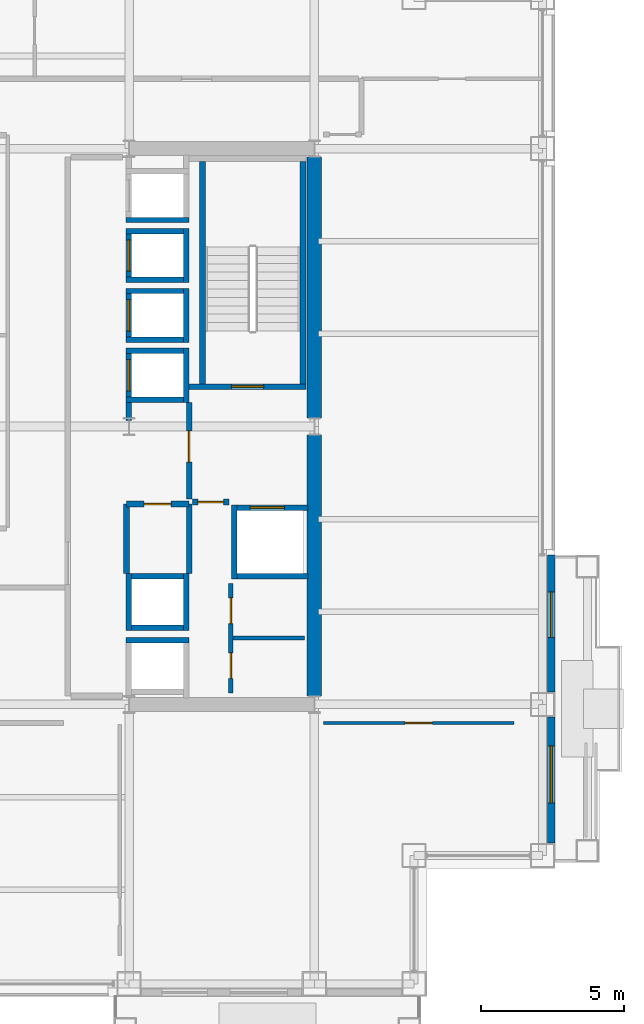
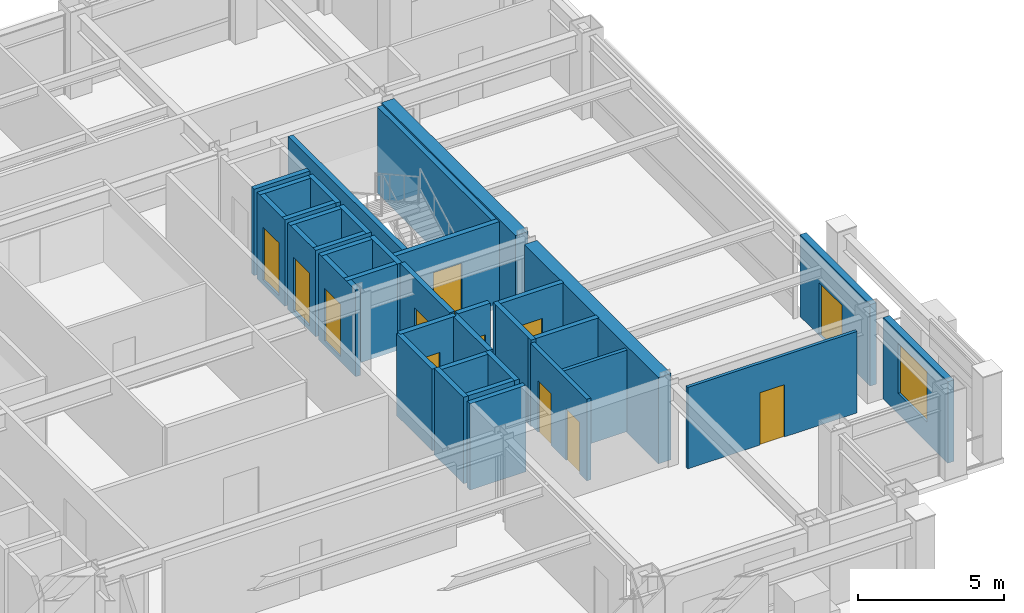
# One storey, part 25 of 29: 36 walls, 12 doors, 1 window, 13 openings.
"""IFC4 building model written with IfcOpenShell, lengths in metres."""

from ifc_helpers import new_model, si_unit, direction, frame, frame_2d, origin, place, context, subcontext, project, spatial, rectangle, extrude, material, layer, layer_set, type_object, element, fill, save


model = new_model("IFC4")

# Units and contexts
model_context = context("Model", 3, precision=1e-05, world=origin(), true_north=direction((0.0, 1.0)))
body_context = subcontext(model_context, "Body", "Model", "MODEL_VIEW")
ifc_project = project(units=[si_unit("LENGTHUNIT", "METRE"), si_unit("AREAUNIT", "SQUARE_METRE"), si_unit("VOLUMEUNIT", "CUBIC_METRE"), si_unit("PLANEANGLEUNIT", "RADIAN"), si_unit("MASSUNIT", "GRAM", prefix="KILO")], contexts=[model_context])

# Site, building, storey
site_placement = place(None, origin())
site = spatial("IfcSite", under=ifc_project, at=site_placement, CompositionType="ELEMENT")
building_placement = place(site_placement, origin())
building = spatial("IfcBuilding", under=site, at=building_placement, Name="Brelmoor Portico Tower", CompositionType="ELEMENT")
storey_placement = place(building_placement, frame((0.0, 0.0, 95.39990234375)))
storey = spatial("IfcBuildingStorey", under=building, at=storey_placement, Name="L24", CompositionType="ELEMENT", Elevation=95.39990234375)

# Walls
ifc_material_1 = material(Name="Concrete C60", Category="concrete")
ifc_layer_1 = layer(ifc_material_1, 0.5)
ifc_layer_set_1 = layer_set([ifc_layer_1], Name="Concrete C60")
wall_type_1 = type_object("IfcWallType", Name="WL-CORE-500", PredefinedType="SHEAR", material=ifc_layer_set_1)
for number, where, z_axis, x_axis, name in (
    (1, (14.550048828125, -9.449951171875, -0.199951171875), (0.0, 0.0, 1.0), (0.0, 1.0, 0.0), "L24 EC Outer South Shear Wall"),
    (2, (14.550048828125, 0.300048828125, -0.199951171875), (0.0, 0.0, 1.0), (0.0, 1.0, 0.0), "L24 EC Outer North Shear Wall"),
):
    element("IfcWall", number, at=place(storey_placement, frame(where, z_axis=z_axis, x_axis=x_axis)), inside=storey, type_object=wall_type_1, Name=name, PredefinedType="SHEAR", context=body_context, shape_type="SweptSolid", body=[
        extrude(rectangle(XDim=9.14990234375, YDim=0.5, at=frame_2d((4.574951171875, 0.0))), origin(), (0.0, 0.0, 1.0), 3.60009765625),
    ])

# Wall, opening, window
ifc_material_2 = material(Name="Precast Concrete C40 Insulated Facade Wall", Category="concrete")
ifc_layer_2 = layer(ifc_material_2, 0.25)
ifc_layer_set_2 = layer_set([ifc_layer_2], Name="Precast Concrete C40 Insulated Facade Wall")
wall_type_2 = type_object("IfcWallType", Name="WL-EXT-250", PredefinedType="STANDARD", material=ifc_layer_set_2)
wall_1_placement = place(storey_placement, frame((22.860107421875, -14.60498046875, 0.0), z_axis=(0.0, 0.0, 1.0), x_axis=(0.0, 1.0, 0.0)))
wall_1 = element("IfcWall", 3, at=wall_1_placement, inside=storey, type_object=wall_type_2, Name="L24 Loggia Threshold Wall E-1", PredefinedType="STANDARD", context=body_context, shape_type="SweptSolid", body=[
    extrude(rectangle(XDim=4.409912109375, YDim=0.25, at=frame_2d((2.205078125, 0.0))), origin(), (0.0, 0.0, 1.0), 3.400146484375),
])
opening_1_placement = place(wall_1_placement, frame((1.405029296875, 0.0, 0.85009765625)))
opening_1 = element("IfcOpeningElement", 4, at=opening_1_placement, cuts=wall_1, Name="Opening W-03", PredefinedType="OPENING", context=body_context, shape_type="SweptSolid", body=[
    extrude(rectangle(XDim=2.0, YDim=2.10009765625, at=frame_2d((1.0, 1.050048828125))), frame((0.0, 0.135009765625, 0.0), z_axis=(0.0, -1.0, 0.0), x_axis=(1.0, 0.0, 0.0)), (0.0, 0.0, 1.0), 0.27001953125),
])
ifc_material_3 = material(Name="Thermally Broken Aluminium Low-E Window", Category="aluminium")
window_type = type_object("IfcWindowType", Name="WN-LOGGIA-2000x2100", PartitioningType="SINGLE_PANEL", PredefinedType="WINDOW", material=ifc_material_3)
window_placement = place(opening_1_placement, origin())
window = element("IfcWindow", 5, at=window_placement, inside=storey, type_object=window_type, Name="L24 Loggia Window E", OverallHeight=2.10009765625, OverallWidth=2.0, PartitioningType="SINGLE_PANEL", PredefinedType="WINDOW", context=body_context, shape_type="SweptSolid", body=[
    extrude(rectangle(XDim=2.0, YDim=2.10009765625, at=frame_2d((1.0, 1.050048828125))), frame((0.0, 0.030029296875, 0.0), z_axis=(0.0, -1.0, 0.0), x_axis=(1.0, 0.0, 0.0)), (0.0, 0.0, 1.0), 0.06005859375),
])
fill(opening_1, window)

# Wall, opening, door
wall_2_placement = place(storey_placement, frame((22.860107421875, -9.304931640625, 0.0), z_axis=(0.0, 0.0, 1.0), x_axis=(0.0, 1.0, 0.0)))
wall_2 = element("IfcWall", 6, at=wall_2_placement, inside=storey, type_object=wall_type_2, Name="L24 Loggia Threshold Wall E-2", PredefinedType="STANDARD", context=body_context, shape_type="SweptSolid", body=[
    extrude(rectangle(XDim=4.804931640625, YDim=0.25, at=frame_2d((2.40234375, 0.0))), origin(), (0.0, 0.0, 1.0), 3.400146484375),
])
opening_2_placement = place(wall_2_placement, frame((1.905029296875, 0.0, 0.0)))
opening_2 = element("IfcOpeningElement", 7, at=opening_2_placement, cuts=wall_2, Name="Opening D-TB1", PredefinedType="OPENING", context=body_context, shape_type="SweptSolid", body=[
    extrude(rectangle(XDim=1.60009765625, YDim=2.199951171875, at=frame_2d((0.800048828125, 1.10009765625))), frame((0.0, 0.135009765625, 0.0), z_axis=(0.0, -1.0, 0.0), x_axis=(1.0, 0.0, 0.0)), (0.0, 0.0, 1.0), 0.27001953125),
])
ifc_material_4 = material(Name="Double-Leaf Thermally Broken Terrace Door", Category="aluminium")
door_type_1 = type_object("IfcDoorType", Name="DR-BALCONY-1600", OperationType="NOTDEFINED", PredefinedType="DOOR", material=ifc_material_4)
door_1_placement = place(opening_2_placement, origin())
door_1 = element("IfcDoor", 8, at=door_1_placement, inside=storey, type_object=door_type_1, Name="D-1080 L24 Tree Balcony Double Door E", OperationType="DOUBLE_DOOR_SINGLE_SWING", OverallHeight=2.199951171875, OverallWidth=1.60009765625, PredefinedType="DOOR", context=body_context, shape_type="SweptSolid", body=[
    extrude(rectangle(XDim=1.60009765625, YDim=2.199951171875, at=frame_2d((0.800048828125, 1.10009765625))), frame((0.0, 0.02490234375, 0.0), z_axis=(0.0, -1.0, 0.0), x_axis=(1.0, 0.0, 0.0)), (0.0, 0.0, 1.0), 0.050048828125),
])
fill(opening_2, door_1)

ifc_material_5 = material(Name="Lightweight Gypsum Office Partition", Category="gypsum")
ifc_layer_3 = layer(ifc_material_5, 0.1201171875)
ifc_layer_set_3 = layer_set([ifc_layer_3], Name="Lightweight Gypsum Office Partition")
wall_type_3 = type_object("IfcWallType", Name="WL-PART-120", PredefinedType="PARTITIONING", material=ifc_layer_set_3)
wall_3_placement = place(storey_placement, frame((14.8798828125, -10.39990234375, 0.0), z_axis=(0.0, 0.0, 1.0), x_axis=(1.0, 0.0, 0.0)))
wall_3 = element("IfcWall", 9, at=wall_3_placement, inside=storey, type_object=wall_type_3, Name="L24 South Wing Closure ER", PredefinedType="PARTITIONING", context=body_context, shape_type="SweptSolid", body=[
    extrude(rectangle(XDim=6.670166015625, YDim=0.1201171875, at=frame_2d((3.3349609375, 0.0))), origin(), (0.0, 0.0, 1.0), 3.400146484375),
])
opening_3_placement = place(wall_3_placement, frame((2.85498046875, 0.0, 0.0)))
opening_3 = element("IfcOpeningElement", 10, at=opening_3_placement, cuts=wall_3, Name="Opening D-IN2", PredefinedType="OPENING", context=body_context, shape_type="SweptSolid", body=[
    extrude(rectangle(XDim=0.9599609375, YDim=2.179931640625, at=frame_2d((0.47998046875, 1.08984375))), frame((0.0, 0.070068359375, 0.0), z_axis=(0.0, -1.0, 0.0), x_axis=(1.0, 0.0, 0.0)), (0.0, 0.0, 1.0), 0.14013671875),
])
ifc_material_6 = material(Name="Lacquered Timber Suite Door", Category="wood")
door_type_2 = type_object("IfcDoorType", Name="DR-INT-950", OperationType="NOTDEFINED", PredefinedType="DOOR", material=ifc_material_6)
door_2_placement = place(opening_3_placement, origin())
door_2 = element("IfcDoor", 11, at=door_2_placement, inside=storey, type_object=door_type_2, Name="D-1078 L24 ER Wing South Suite Door", OperationType="SINGLE_SWING_RIGHT", OverallHeight=2.179931640625, OverallWidth=0.9599609375, PredefinedType="DOOR", context=body_context, shape_type="SweptSolid", body=[
    extrude(rectangle(XDim=0.9599609375, YDim=2.179931640625, at=frame_2d((0.47998046875, 1.08984375))), frame((0.0, 0.02490234375, 0.0), z_axis=(0.0, -1.0, 0.0), x_axis=(1.0, 0.0, 0.0)), (0.0, 0.0, 1.0), 0.050048828125),
])
fill(opening_3, door_2)

# Wall
ifc_material_7 = material(Name="Insulated Stud Suite Partition", Category="gypsum")
ifc_layer_4 = layer(ifc_material_7, 0.139892578125)
ifc_layer_set_4 = layer_set([ifc_layer_4], Name="Insulated Stud Suite Partition")
wall_type_4 = type_object("IfcWallType", Name="WL-PART-140", PredefinedType="PARTITIONING", material=ifc_layer_set_4)
wall_4_placement = place(storey_placement, frame((11.699951171875, -7.425048828125, 0.0), z_axis=(0.0, 0.0, 1.0), x_axis=(1.0, 0.0, 0.0)))
element("IfcWall", 12, at=wall_4_placement, inside=storey, type_object=wall_type_4, Name="L24 E Core WC Divider 1", PredefinedType="PARTITIONING", context=body_context, shape_type="SweptSolid", body=[
    extrude(rectangle(XDim=2.5, YDim=0.139892578125, at=frame_2d((1.25, 0.0))), origin(), (0.0, 0.0, 1.0), 3.400146484375),
])

# Wall, openings, doors
ifc_material_8 = material(Name="Twin-Frame Acoustic Partition", Category="gypsum")
ifc_layer_5 = layer(ifc_material_8, 0.159912109375)
ifc_layer_set_5 = layer_set([ifc_layer_5], Name="Twin-Frame Acoustic Partition")
wall_type_5 = type_object("IfcWallType", Name="WL-PART-160", PredefinedType="PARTITIONING", material=ifc_layer_set_5)
wall_5_placement = place(storey_placement, frame((11.6201171875, -9.35009765625, 0.0), z_axis=(0.0, 0.0, 1.0), x_axis=(0.0, 1.0, 0.0)))
wall_5 = element("IfcWall", 13, at=wall_5_placement, inside=storey, type_object=wall_type_5, Name="L24 E Core Service Front Wall", PredefinedType="PARTITIONING", context=body_context, shape_type="SweptSolid", body=[
    extrude(rectangle(XDim=3.85009765625, YDim=0.159912109375, at=frame_2d((1.925048828125, 0.0))), origin(), (0.0, 0.0, 1.0), 3.400146484375),
])
opening_4_placement = place(wall_5_placement, frame((0.512451171875, 0.0, 0.0)))
opening_4 = element("IfcOpeningElement", 14, at=opening_4_placement, cuts=wall_5, Name="Opening D-IN1", PredefinedType="OPENING", context=body_context, shape_type="SweptSolid", body=[
    extrude(rectangle(XDim=0.89990234375, YDim=2.14990234375, at=frame_2d((0.449951171875, 1.074951171875))), frame((0.0, 0.08984375, 0.0), z_axis=(0.0, -1.0, 0.0), x_axis=(1.0, 0.0, 0.0)), (0.0, 0.0, 1.0), 0.179931640625),
])
opening_5_placement = place(wall_5_placement, frame((2.4375, 0.0, 0.0)))
opening_5 = element("IfcOpeningElement", 15, at=opening_5_placement, cuts=wall_5, Name="Opening D-IN1", PredefinedType="OPENING", context=body_context, shape_type="SweptSolid", body=[
    extrude(rectangle(XDim=0.89990234375, YDim=2.14990234375, at=frame_2d((0.449951171875, 1.074951171875))), frame((0.0, 0.08984375, 0.0), z_axis=(0.0, -1.0, 0.0), x_axis=(1.0, 0.0, 0.0)), (0.0, 0.0, 1.0), 0.179931640625),
])
door_type_3 = type_object("IfcDoorType", Name="DR-INT-900", OperationType="NOTDEFINED", PredefinedType="DOOR", material=ifc_material_6)
door_3_placement = place(opening_4_placement, origin())
door_3 = element("IfcDoor", 16, at=door_3_placement, inside=storey, type_object=door_type_3, Name="D-1055 L24 E Male WC Door", OperationType="SINGLE_SWING_RIGHT", OverallHeight=2.14990234375, OverallWidth=0.89990234375, PredefinedType="DOOR", context=body_context, shape_type="SweptSolid", body=[
    extrude(rectangle(XDim=0.89990234375, YDim=2.14990234375, at=frame_2d((0.449951171875, 1.074951171875))), frame((0.0, 0.02490234375, 0.0), z_axis=(0.0, -1.0, 0.0), x_axis=(1.0, 0.0, 0.0)), (0.0, 0.0, 1.0), 0.050048828125),
])
fill(opening_4, door_3)
door_4_placement = place(opening_5_placement, origin())
door_4 = element("IfcDoor", 17, at=door_4_placement, inside=storey, type_object=door_type_3, Name="D-1056 L24 E Female WC Door", OperationType="SINGLE_SWING_LEFT", OverallHeight=2.14990234375, OverallWidth=0.89990234375, PredefinedType="DOOR", context=body_context, shape_type="SweptSolid", body=[
    extrude(rectangle(XDim=0.89990234375, YDim=2.14990234375, at=frame_2d((0.449951171875, 1.074951171875))), frame((0.0, 0.02490234375, 0.0), z_axis=(0.0, -1.0, 0.0), x_axis=(1.0, 0.0, 0.0)), (0.0, 0.0, 1.0), 0.050048828125),
])
fill(opening_5, door_4)

# Wall, opening, door
ifc_material_9 = material(Name="Double-Stud Gypsum Fire Partition", Category="gypsum")
ifc_layer_6 = layer(ifc_material_9, 0.199951171875)
ifc_layer_set_6 = layer_set([ifc_layer_6], Name="Double-Stud Gypsum Fire Partition")
wall_type_6 = type_object("IfcWallType", Name="WL-PART-200", PredefinedType="PARTITIONING", material=ifc_layer_set_6)
wall_6_placement = place(storey_placement, frame((10.159912109375, -2.550048828125, 0.0), z_axis=(0.0, 0.0, 1.0), x_axis=(0.0, 1.0, 0.0)))
wall_6 = element("IfcWall", 18, at=wall_6_placement, inside=storey, type_object=wall_type_6, Name="L24 E Firefighting Lobby Wall", PredefinedType="PARTITIONING", context=body_context, shape_type="SweptSolid", body=[
    extrude(rectangle(XDim=3.400146484375, YDim=0.199951171875, at=frame_2d((1.7001953125, 0.0))), origin(), (0.0, 0.0, 1.0), 3.400146484375),
])
opening_6_placement = place(wall_6_placement, frame((1.300048828125, 0.0, 0.0)))
opening_6 = element("IfcOpeningElement", 19, at=opening_6_placement, cuts=wall_6, Name="Opening D-FR1", PredefinedType="OPENING", context=body_context, shape_type="SweptSolid", body=[
    extrude(rectangle(XDim=1.10009765625, YDim=2.14990234375, at=frame_2d((0.550048828125, 1.074951171875))), frame((0.0, 0.10986328125, 0.0), z_axis=(0.0, -1.0, 0.0), x_axis=(1.0, 0.0, 0.0)), (0.0, 0.0, 1.0), 0.219970703125),
])
ifc_material_10 = material(Name="Painted Galvanised Steel Fire Door", Category="steel")
door_type_4 = type_object("IfcDoorType", Name="DR-FIRE-1100", OperationType="NOTDEFINED", PredefinedType="DOOR", material=ifc_material_10)
door_5_placement = place(opening_6_placement, origin())
door_5 = element("IfcDoor", 20, at=door_5_placement, inside=storey, type_object=door_type_4, Name="D-1063 L24 E Firefighting Lobby Door", OperationType="SINGLE_SWING_LEFT", OverallHeight=2.14990234375, OverallWidth=1.10009765625, PredefinedType="DOOR", context=body_context, shape_type="SweptSolid", body=[
    extrude(rectangle(XDim=1.10009765625, YDim=2.14990234375, at=frame_2d((0.550048828125, 1.074951171875))), frame((0.0, 0.02490234375, 0.0), z_axis=(0.0, -1.0, 0.0), x_axis=(1.0, 0.0, 0.0)), (0.0, 0.0, 1.0), 0.050048828125),
])
fill(opening_6, door_5)

wall_7_placement = place(storey_placement, frame((10.280029296875, -2.64990234375, 0.0), z_axis=(0.0, 0.0, 1.0), x_axis=(1.0, 0.0, 0.0)))
wall_7 = element("IfcWall", 21, at=wall_7_placement, inside=storey, type_object=wall_type_6, Name="L24 E Firefighting Lobby South Wall", PredefinedType="PARTITIONING", context=body_context, shape_type="SweptSolid", body=[
    extrude(rectangle(XDim=1.27001953125, YDim=0.199951171875, at=frame_2d((0.635009765625, 0.0))), origin(), (0.0, 0.0, 1.0), 3.400146484375),
])
opening_7_placement = place(wall_7_placement, frame((0.18505859375, 0.0, 0.0)))
opening_7 = element("IfcOpeningElement", 22, at=opening_7_placement, cuts=wall_7, Name="Opening D-IN1", PredefinedType="OPENING", context=body_context, shape_type="SweptSolid", body=[
    extrude(rectangle(XDim=0.89990234375, YDim=2.14990234375, at=frame_2d((0.449951171875, 1.074951171875))), frame((0.0, 0.10986328125, 0.0), z_axis=(0.0, -1.0, 0.0), x_axis=(1.0, 0.0, 0.0)), (0.0, 0.0, 1.0), 0.219970703125),
])
door_6_placement = place(opening_7_placement, origin())
door_6 = element("IfcDoor", 23, at=door_6_placement, inside=storey, type_object=door_type_3, Name="D-1057 L24 E Core Service Vestibule Door", OperationType="SINGLE_SWING_RIGHT", OverallHeight=2.14990234375, OverallWidth=0.89990234375, PredefinedType="DOOR", context=body_context, shape_type="SweptSolid", body=[
    extrude(rectangle(XDim=0.89990234375, YDim=2.14990234375, at=frame_2d((0.449951171875, 1.074951171875))), frame((0.0, 0.02490234375, 0.0), z_axis=(0.0, -1.0, 0.0), x_axis=(1.0, 0.0, 0.0)), (0.0, 0.0, 1.0), 0.050048828125),
])
fill(opening_7, door_6)

wall_8_placement = place(storey_placement, frame((7.9599609375, -2.719970703125, 0.0), z_axis=(0.0, 0.0, 1.0), x_axis=(1.0, 0.0, 0.0)))
wall_8 = element("IfcWall", 24, at=wall_8_placement, inside=storey, type_object=wall_type_6, Name="L24 E Electrical Switchgear Closet Wall", PredefinedType="PARTITIONING", context=body_context, shape_type="SweptSolid", body=[
    extrude(rectangle(XDim=2.199951171875, YDim=0.199951171875, at=frame_2d((1.10009765625, 0.0))), origin(), (0.0, 0.0, 1.0), 3.400146484375),
])
opening_8_placement = place(wall_8_placement, frame((0.6201171875, 0.0, 0.0)))
opening_8 = element("IfcOpeningElement", 25, at=opening_8_placement, cuts=wall_8, Name="Opening D-FR4", PredefinedType="OPENING", context=body_context, shape_type="SweptSolid", body=[
    extrude(rectangle(XDim=0.949951171875, YDim=2.10009765625, at=frame_2d((0.47509765625, 1.050048828125))), frame((0.0, 0.10986328125, 0.0), z_axis=(0.0, -1.0, 0.0), x_axis=(1.0, 0.0, 0.0)), (0.0, 0.0, 1.0), 0.219970703125),
])
ifc_material_11 = material(Name="Painted Galvanised Steel Riser Door", Category="steel")
door_type_5 = type_object("IfcDoorType", Name="DR-FIRE-950", OperationType="NOTDEFINED", PredefinedType="DOOR", material=ifc_material_11)
door_7_placement = place(opening_8_placement, origin())
door_7 = element("IfcDoor", 26, at=door_7_placement, inside=storey, type_object=door_type_5, Name="D-1061 L24 E Electrical Switchgear Closet Door", OperationType="SINGLE_SWING_LEFT", OverallHeight=2.10009765625, OverallWidth=0.949951171875, PredefinedType="DOOR", context=body_context, shape_type="SweptSolid", body=[
    extrude(rectangle(XDim=0.949951171875, YDim=2.10009765625, at=frame_2d((0.47509765625, 1.050048828125))), frame((0.0, 0.02490234375, 0.0), z_axis=(0.0, -1.0, 0.0), x_axis=(1.0, 0.0, 0.0)), (0.0, 0.0, 1.0), 0.050048828125),
])
fill(opening_8, door_7)

# Walls
for number, where, z_axis, x_axis, name in (
    (27, (7.9599609375, -5.159912109375, 0.0), (0.0, 0.0, 1.0), (0.0, 1.0, 0.0), "L24 E Electrical Switchgear Closet Inner Wall"),
    (28, (10.159912109375, -5.159912109375, 0.0), (0.0, 0.0, 1.0), (0.0, 1.0, 0.0), "L24 E Electrical Switchgear Closet Outer Wall"),
):
    element("IfcWall", number, at=place(storey_placement, frame(where, z_axis=z_axis, x_axis=x_axis)), inside=storey, type_object=wall_type_6, Name=name, PredefinedType="PARTITIONING", context=body_context, shape_type="SweptSolid", body=[
        extrude(rectangle(XDim=2.43994140625, YDim=0.199951171875, at=frame_2d((1.219970703125, 0.0))), origin(), (0.0, 0.0, 1.0), 3.400146484375),
    ])

# Wall, opening, door
ifc_material_12 = material(Name="Precast Concrete C40", Category="concrete")
ifc_layer_7 = layer(ifc_material_12, 0.18994140625)
ifc_layer_set_7 = layer_set([ifc_layer_7], Name="Precast Concrete C40")
wall_type_7 = type_object("IfcWallType", Name="WL-SHAFT-180", PredefinedType="SOLIDWALL", material=ifc_layer_set_7)
wall_9_placement = place(storey_placement, frame((8.044921875, 0.2099609375, -0.199951171875), z_axis=(0.0, 0.0, 1.0), x_axis=(0.0, 1.0, 0.0)))
wall_9 = element("IfcWall", 29, at=wall_9_placement, inside=storey, type_object=wall_type_7, Name="L24 Lift PM1 Hoistway Front Wall", PredefinedType="SOLIDWALL", context=body_context, shape_type="SweptSolid", body=[
    extrude(rectangle(XDim=2.5400390625, YDim=0.18994140625, at=frame_2d((1.27001953125, 0.0))), origin(), (0.0, 0.0, 1.0), 3.60009765625),
])
opening_9_placement = place(wall_9_placement, frame((1.0400390625, 0.0, 0.199951171875)))
opening_9 = element("IfcOpeningElement", 30, at=opening_9_placement, cuts=wall_9, Name="Opening LD-01", PredefinedType="OPENING", context=body_context, shape_type="SweptSolid", body=[
    extrude(rectangle(XDim=1.10009765625, YDim=2.199951171875, at=frame_2d((0.550048828125, 1.10009765625))), frame((0.0, 0.10498046875, 0.0), z_axis=(0.0, -1.0, 0.0), x_axis=(1.0, 0.0, 0.0)), (0.0, 0.0, 1.0), 0.2099609375),
])
ifc_material_13 = material(Name="Brushed Stainless Steel Sliding Lift Door", Category="steel")
door_type_6 = type_object("IfcDoorType", Name="DR-LIFT-1100", OperationType="NOTDEFINED", PredefinedType="DOOR", material=ifc_material_13)
door_8_placement = place(opening_9_placement, origin())
door_8 = element("IfcDoor", 31, at=door_8_placement, inside=storey, type_object=door_type_6, Name="D-1088 L24 Lift PM1 Sliding Landing Door", OperationType="SLIDING_TO_LEFT", OverallHeight=2.199951171875, OverallWidth=1.10009765625, PredefinedType="DOOR", context=body_context, shape_type="SweptSolid", body=[
    extrude(rectangle(XDim=1.10009765625, YDim=2.199951171875, at=frame_2d((0.550048828125, 1.10009765625))), frame((0.0, 0.02490234375, 0.0), z_axis=(0.0, -1.0, 0.0), x_axis=(1.0, 0.0, 0.0)), (0.0, 0.0, 1.0), 0.050048828125),
])
fill(opening_9, door_8)

# Walls
wall_10_placement = place(storey_placement, frame((10.054931640625, 0.85009765625, -0.199951171875), z_axis=(0.0, 0.0, 1.0), x_axis=(0.0, 1.0, 0.0)))
element("IfcWall", 32, at=wall_10_placement, inside=storey, type_object=wall_type_7, Name="L24 Lift PM1 Hoistway Back Wall", PredefinedType="SOLIDWALL", context=body_context, shape_type="SweptSolid", body=[
    extrude(rectangle(XDim=1.89990234375, YDim=0.18994140625, at=frame_2d((0.949951171875, 0.0))), origin(), (0.0, 0.0, 1.0), 3.60009765625),
])
for number, where, z_axis, x_axis, name in (
    (33, (7.949951171875, 2.655029296875, -0.199951171875), (0.0, 0.0, 1.0), (1.0, 0.0, 0.0), "L24 Lift PM1 Hoistway North Wall"),
    (34, (7.949951171875, 0.945068359375, -0.199951171875), (0.0, 0.0, 1.0), (1.0, 0.0, 0.0), "L24 Lift PM1 Hoistway South Wall"),
):
    element("IfcWall", number, at=place(storey_placement, frame(where, z_axis=z_axis, x_axis=x_axis)), inside=storey, type_object=wall_type_7, Name=name, PredefinedType="SOLIDWALL", context=body_context, shape_type="SweptSolid", body=[
        extrude(rectangle(XDim=2.199951171875, YDim=0.18994140625, at=frame_2d((1.10009765625, 0.0))), origin(), (0.0, 0.0, 1.0), 3.60009765625),
    ])

# Wall, opening, door
wall_11_placement = place(storey_placement, frame((8.044921875, 2.949951171875, -0.199951171875), z_axis=(0.0, 0.0, 1.0), x_axis=(0.0, 1.0, 0.0)))
wall_11 = element("IfcWall", 35, at=wall_11_placement, inside=storey, type_object=wall_type_7, Name="L24 Lift PM2 Hoistway Front Wall", PredefinedType="SOLIDWALL", context=body_context, shape_type="SweptSolid", body=[
    extrude(rectangle(XDim=1.900146484375, YDim=0.18994140625, at=frame_2d((0.9501953125, 0.0))), origin(), (0.0, 0.0, 1.0), 3.60009765625),
])
opening_10_placement = place(wall_11_placement, frame((0.39990234375, 0.0, 0.199951171875)))
opening_10 = element("IfcOpeningElement", 36, at=opening_10_placement, cuts=wall_11, Name="Opening LD-01", PredefinedType="OPENING", context=body_context, shape_type="SweptSolid", body=[
    extrude(rectangle(XDim=1.10009765625, YDim=2.199951171875, at=frame_2d((0.550048828125, 1.10009765625))), frame((0.0, 0.10498046875, 0.0), z_axis=(0.0, -1.0, 0.0), x_axis=(1.0, 0.0, 0.0)), (0.0, 0.0, 1.0), 0.2099609375),
])
door_9_placement = place(opening_10_placement, origin())
door_9 = element("IfcDoor", 37, at=door_9_placement, inside=storey, type_object=door_type_6, Name="D-1089 L24 Lift PM2 Sliding Landing Door", OperationType="SLIDING_TO_LEFT", OverallHeight=2.199951171875, OverallWidth=1.10009765625, PredefinedType="DOOR", context=body_context, shape_type="SweptSolid", body=[
    extrude(rectangle(XDim=1.10009765625, YDim=2.199951171875, at=frame_2d((0.550048828125, 1.10009765625))), frame((0.0, 0.02490234375, 0.0), z_axis=(0.0, -1.0, 0.0), x_axis=(1.0, 0.0, 0.0)), (0.0, 0.0, 1.0), 0.050048828125),
])
fill(opening_10, door_9)

# Walls
wall_12_placement = place(storey_placement, frame((10.054931640625, 2.949951171875, -0.199951171875), z_axis=(0.0, 0.0, 1.0), x_axis=(0.0, 1.0, 0.0)))
element("IfcWall", 38, at=wall_12_placement, inside=storey, type_object=wall_type_7, Name="L24 Lift PM2 Hoistway Back Wall", PredefinedType="SOLIDWALL", context=body_context, shape_type="SweptSolid", body=[
    extrude(rectangle(XDim=1.900146484375, YDim=0.18994140625, at=frame_2d((0.9501953125, 0.0))), origin(), (0.0, 0.0, 1.0), 3.60009765625),
])
for number, where, z_axis, x_axis, name in (
    (39, (7.949951171875, 4.7548828125, -0.199951171875), (0.0, 0.0, 1.0), (1.0, 0.0, 0.0), "L24 Lift PM2 Hoistway North Wall"),
    (40, (7.949951171875, 3.044921875, -0.199951171875), (0.0, 0.0, 1.0), (1.0, 0.0, 0.0), "L24 Lift PM2 Hoistway South Wall"),
):
    element("IfcWall", number, at=place(storey_placement, frame(where, z_axis=z_axis, x_axis=x_axis)), inside=storey, type_object=wall_type_7, Name=name, PredefinedType="SOLIDWALL", context=body_context, shape_type="SweptSolid", body=[
        extrude(rectangle(XDim=2.199951171875, YDim=0.18994140625, at=frame_2d((1.10009765625, 0.0))), origin(), (0.0, 0.0, 1.0), 3.60009765625),
    ])

# Wall, opening, door
wall_13_placement = place(storey_placement, frame((8.044921875, 5.050048828125, -0.199951171875), z_axis=(0.0, 0.0, 1.0), x_axis=(0.0, 1.0, 0.0)))
wall_13 = element("IfcWall", 41, at=wall_13_placement, inside=storey, type_object=wall_type_7, Name="L24 Lift PM3 Hoistway Front Wall", PredefinedType="SOLIDWALL", context=body_context, shape_type="SweptSolid", body=[
    extrude(rectangle(XDim=1.89990234375, YDim=0.18994140625, at=frame_2d((0.949951171875, 0.0))), origin(), (0.0, 0.0, 1.0), 3.60009765625),
])
opening_11_placement = place(wall_13_placement, frame((0.39990234375, 0.0, 0.199951171875)))
opening_11 = element("IfcOpeningElement", 42, at=opening_11_placement, cuts=wall_13, Name="Opening LD-01", PredefinedType="OPENING", context=body_context, shape_type="SweptSolid", body=[
    extrude(rectangle(XDim=1.10009765625, YDim=2.199951171875, at=frame_2d((0.550048828125, 1.10009765625))), frame((0.0, 0.10498046875, 0.0), z_axis=(0.0, -1.0, 0.0), x_axis=(1.0, 0.0, 0.0)), (0.0, 0.0, 1.0), 0.2099609375),
])
door_10_placement = place(opening_11_placement, origin())
door_10 = element("IfcDoor", 43, at=door_10_placement, inside=storey, type_object=door_type_6, Name="D-1090 L24 Lift PM3 Sliding Landing Door", OperationType="SLIDING_TO_LEFT", OverallHeight=2.199951171875, OverallWidth=1.10009765625, PredefinedType="DOOR", context=body_context, shape_type="SweptSolid", body=[
    extrude(rectangle(XDim=1.10009765625, YDim=2.199951171875, at=frame_2d((0.550048828125, 1.10009765625))), frame((0.0, 0.02490234375, 0.0), z_axis=(0.0, -1.0, 0.0), x_axis=(1.0, 0.0, 0.0)), (0.0, 0.0, 1.0), 0.050048828125),
])
fill(opening_11, door_10)

# Walls
wall_14_placement = place(storey_placement, frame((10.054931640625, 5.050048828125, -0.199951171875), z_axis=(0.0, 0.0, 1.0), x_axis=(0.0, 1.0, 0.0)))
element("IfcWall", 44, at=wall_14_placement, inside=storey, type_object=wall_type_7, Name="L24 Lift PM3 Hoistway Back Wall", PredefinedType="SOLIDWALL", context=body_context, shape_type="SweptSolid", body=[
    extrude(rectangle(XDim=1.89990234375, YDim=0.18994140625, at=frame_2d((0.949951171875, 0.0))), origin(), (0.0, 0.0, 1.0), 3.60009765625),
])
for number, where, z_axis, x_axis, name in (
    (45, (7.949951171875, 6.85498046875, -0.199951171875), (0.0, 0.0, 1.0), (1.0, 0.0, 0.0), "L24 Lift PM3 Hoistway North Wall"),
    (46, (7.949951171875, 5.14501953125, -0.199951171875), (0.0, 0.0, 1.0), (1.0, 0.0, 0.0), "L24 Lift PM3 Hoistway South Wall"),
    (47, (7.949951171875, 7.2451171875, -0.199951171875), (0.0, 0.0, 1.0), (1.0, 0.0, 0.0), "L24 Lift PM4 Hoistway South Wall"),
    (48, (7.949951171875, -7.4951171875, -0.199951171875), (0.0, 0.0, 1.0), (1.0, 0.0, 0.0), "L24 Lift PH3 Hoistway North Wall"),
):
    element("IfcWall", number, at=place(storey_placement, frame(where, z_axis=z_axis, x_axis=x_axis)), inside=storey, type_object=wall_type_7, Name=name, PredefinedType="SOLIDWALL", context=body_context, shape_type="SweptSolid", body=[
        extrude(rectangle(XDim=2.199951171875, YDim=0.18994140625, at=frame_2d((1.10009765625, 0.0))), origin(), (0.0, 0.0, 1.0), 3.60009765625),
    ])
for number, where, z_axis, x_axis, name in (
    (49, (8.044921875, -7.14990234375, -0.199951171875), (0.0, 0.0, 1.0), (0.0, 1.0, 0.0), "L24 Lift PH4 Hoistway Front Wall"),
    (50, (10.054931640625, -7.14990234375, -0.199951171875), (0.0, 0.0, 1.0), (0.0, 1.0, 0.0), "L24 Lift PH4 Hoistway Back Wall"),
):
    element("IfcWall", number, at=place(storey_placement, frame(where, z_axis=z_axis, x_axis=x_axis)), inside=storey, type_object=wall_type_7, Name=name, PredefinedType="SOLIDWALL", context=body_context, shape_type="SweptSolid", body=[
        extrude(rectangle(XDim=2.0, YDim=0.18994140625, at=frame_2d((1.0, 0.0))), origin(), (0.0, 0.0, 1.0), 3.60009765625),
    ])
for number, where, z_axis, x_axis, name in (
    (51, (7.949951171875, -5.2451171875, -0.199951171875), (0.0, 0.0, 1.0), (1.0, 0.0, 0.0), "L24 Lift PH4 Hoistway North Wall"),
    (52, (7.949951171875, -7.054931640625, -0.199951171875), (0.0, 0.0, 1.0), (1.0, 0.0, 0.0), "L24 Lift PH4 Hoistway South Wall"),
):
    element("IfcWall", number, at=place(storey_placement, frame(where, z_axis=z_axis, x_axis=x_axis)), inside=storey, type_object=wall_type_7, Name=name, PredefinedType="SOLIDWALL", context=body_context, shape_type="SweptSolid", body=[
        extrude(rectangle(XDim=2.199951171875, YDim=0.18994140625, at=frame_2d((1.10009765625, 0.0))), origin(), (0.0, 0.0, 1.0), 3.60009765625),
    ])

# Wall, opening, door
wall_15_placement = place(storey_placement, frame((11.64990234375, -2.844970703125, -0.199951171875), z_axis=(0.0, 0.0, 1.0), x_axis=(1.0, 0.0, 0.0)))
wall_15 = element("IfcWall", 53, at=wall_15_placement, inside=storey, type_object=wall_type_7, Name="L24 Lift FF2 Hoistway Front Wall", PredefinedType="SOLIDWALL", context=body_context, shape_type="SweptSolid", body=[
    extrude(rectangle(XDim=2.68017578125, YDim=0.18994140625, at=frame_2d((1.340087890625, 0.0))), origin(), (0.0, 0.0, 1.0), 3.60009765625),
])
opening_12_placement = place(wall_15_placement, frame((0.64990234375, 0.0, 0.199951171875)))
opening_12 = element("IfcOpeningElement", 54, at=opening_12_placement, cuts=wall_15, Name="Opening LD-02", PredefinedType="OPENING", context=body_context, shape_type="SweptSolid", body=[
    extrude(rectangle(XDim=1.199951171875, YDim=2.199951171875, at=frame_2d((0.60009765625, 1.10009765625))), frame((0.0, 0.10498046875, 0.0), z_axis=(0.0, -1.0, 0.0), x_axis=(1.0, 0.0, 0.0)), (0.0, 0.0, 1.0), 0.2099609375),
])
ifc_material_14 = material(Name="Brushed Stainless Steel Firefighting Lift Door", Category="steel")
door_type_7 = type_object("IfcDoorType", Name="DR-LIFT-1200", OperationType="NOTDEFINED", PredefinedType="DOOR", material=ifc_material_14)
door_11_placement = place(opening_12_placement, origin())
door_11 = element("IfcDoor", 55, at=door_11_placement, inside=storey, type_object=door_type_7, Name="D-1087 L24 Lift FF2 Sliding Landing Door", OperationType="SLIDING_TO_LEFT", OverallHeight=2.199951171875, OverallWidth=1.199951171875, PredefinedType="DOOR", context=body_context, shape_type="SweptSolid", body=[
    extrude(rectangle(XDim=1.199951171875, YDim=2.199951171875, at=frame_2d((0.60009765625, 1.10009765625))), frame((0.0, 0.02490234375, 0.0), z_axis=(0.0, -1.0, 0.0), x_axis=(1.0, 0.0, 0.0)), (0.0, 0.0, 1.0), 0.050048828125),
])
fill(opening_12, door_11)

# Walls
wall_16_placement = place(storey_placement, frame((11.64990234375, -5.2548828125, -0.199951171875), z_axis=(0.0, 0.0, 1.0), x_axis=(1.0, 0.0, 0.0)))
element("IfcWall", 56, at=wall_16_placement, inside=storey, type_object=wall_type_7, Name="L24 Firefighting Lift FF2 South Wall", PredefinedType="SOLIDWALL", context=body_context, shape_type="SweptSolid", body=[
    extrude(rectangle(XDim=2.68017578125, YDim=0.18994140625, at=frame_2d((1.340087890625, 0.0))), origin(), (0.0, 0.0, 1.0), 3.60009765625),
])
wall_17_placement = place(storey_placement, frame((11.7451171875, -5.35009765625, -0.199951171875), z_axis=(0.0, 0.0, 1.0), x_axis=(0.0, 1.0, 0.0)))
element("IfcWall", 57, at=wall_17_placement, inside=storey, type_object=wall_type_7, Name="L24 Firefighting Lift FF2 Inner Wall", PredefinedType="SOLIDWALL", context=body_context, shape_type="SweptSolid", body=[
    extrude(rectangle(XDim=2.60009765625, YDim=0.18994140625, at=frame_2d((1.300048828125, 0.0))), origin(), (0.0, 0.0, 1.0), 3.60009765625),
])
ifc_material_15 = material(Name="Concrete C40", Category="concrete")
ifc_layer_8 = layer(ifc_material_15, 0.199951171875)
ifc_layer_set_8 = layer_set([ifc_layer_8], Name="Concrete C40")
wall_type_8 = type_object("IfcWallType", Name="WL-SHAFT-RC200", PredefinedType="SOLIDWALL", material=ifc_layer_set_8)
wall_18_placement = place(storey_placement, frame((14.14990234375, 1.5, -0.199951171875), z_axis=(0.0, 0.0, 1.0), x_axis=(0.0, 1.0, 0.0)))
element("IfcWall", 58, at=wall_18_placement, inside=storey, type_object=wall_type_8, Name="L24 ST-E Structural Stair Wall Outer", PredefinedType="SOLIDWALL", context=body_context, shape_type="SweptSolid", body=[
    extrude(rectangle(XDim=7.800048828125, YDim=0.199951171875, at=frame_2d((3.89990234375, 0.0))), origin(), (0.0, 0.0, 1.0), 3.60009765625),
])

# Wall, opening, door
wall_19_placement = place(storey_placement, frame((10.14990234375, 1.39990234375, -0.199951171875), z_axis=(0.0, 0.0, 1.0), x_axis=(1.0, 0.0, 0.0)))
wall_19 = element("IfcWall", 59, at=wall_19_placement, inside=storey, type_object=wall_type_8, Name="L24 ST-E Structural Stair Wall S", PredefinedType="SOLIDWALL", context=body_context, shape_type="SweptSolid", body=[
    extrude(rectangle(XDim=4.10009765625, YDim=0.199951171875, at=frame_2d((2.050048828125, 0.0))), origin(), (0.0, 0.0, 1.0), 3.60009765625),
])
opening_13_placement = place(wall_19_placement, frame((1.5, 0.0, 0.199951171875)))
opening_13 = element("IfcOpeningElement", 60, at=opening_13_placement, cuts=wall_19, Name="Opening D-ST1", PredefinedType="OPENING", context=body_context, shape_type="SweptSolid", body=[
    extrude(rectangle(XDim=1.1201171875, YDim=2.179931640625, at=frame_2d((0.56005859375, 1.08984375))), frame((0.0, 0.10986328125, 0.0), z_axis=(0.0, -1.0, 0.0), x_axis=(1.0, 0.0, 0.0)), (0.0, 0.0, 1.0), 0.219970703125),
])
door_type_8 = type_object("IfcDoorType", Name="DR-STAIR-1100", OperationType="NOTDEFINED", PredefinedType="DOOR", material=ifc_material_10)
door_12_placement = place(opening_13_placement, origin())
door_12 = element("IfcDoor", 61, at=door_12_placement, inside=storey, type_object=door_type_8, Name="D-1076 L24 ST-E Protected Exit Stair Door", OperationType="SINGLE_SWING_RIGHT", OverallHeight=2.179931640625, OverallWidth=1.1201171875, PredefinedType="DOOR", context=body_context, shape_type="SweptSolid", body=[
    extrude(rectangle(XDim=1.1201171875, YDim=2.179931640625, at=frame_2d((0.56005859375, 1.08984375))), frame((0.0, 0.02490234375, 0.0), z_axis=(0.0, -1.0, 0.0), x_axis=(1.0, 0.0, 0.0)), (0.0, 0.0, 1.0), 0.050048828125),
])
fill(opening_13, door_12)

# Wall
wall_20_placement = place(storey_placement, frame((10.6298828125, 1.5, -0.199951171875), z_axis=(0.0, 0.0, 1.0), x_axis=(0.0, 1.0, 0.0)))
element("IfcWall", 62, at=wall_20_placement, inside=storey, type_object=wall_type_8, Name="L24 ST-E Structural Stair Wall Inner", PredefinedType="SOLIDWALL", context=body_context, shape_type="SweptSolid", body=[
    extrude(rectangle(XDim=7.800048828125, YDim=0.199951171875, at=frame_2d((3.89990234375, 0.0))), origin(), (0.0, 0.0, 1.0), 3.60009765625),
])

save(model, "model.ifc")
